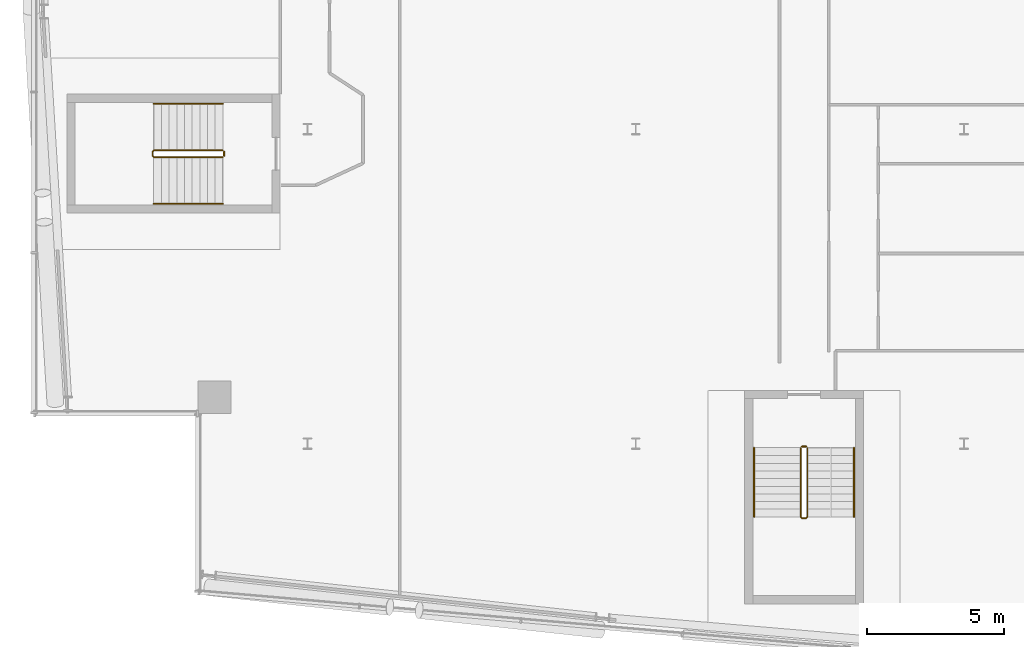
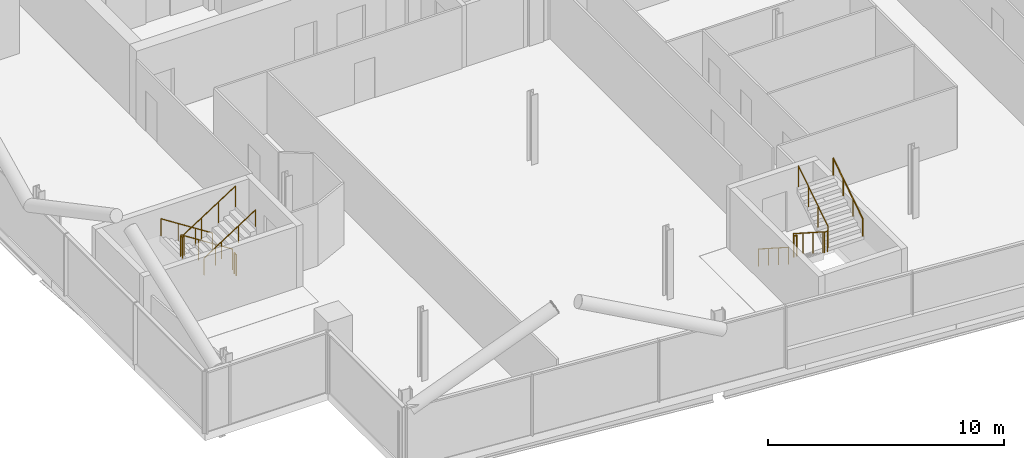
# One storey, part 23 of 25: 8 railings.
"""IFC4 building model written with IfcOpenShell, lengths in metres."""

from ifc_helpers import new_model, si_unit, direction, frame, origin, origin_2d, place, context, subcontext, project, spatial, circle, extrude, material, type_object, element, save


model = new_model("IFC4")

# Units and contexts
model_context = context("Model", 3, precision=1e-05, world=origin(), true_north=direction((0.0, 1.0)))
body_context = subcontext(model_context, "Body", "Model", "MODEL_VIEW")
ifc_project = project(units=[si_unit("LENGTHUNIT", "METRE"), si_unit("AREAUNIT", "SQUARE_METRE"), si_unit("VOLUMEUNIT", "CUBIC_METRE"), si_unit("PLANEANGLEUNIT", "RADIAN"), si_unit("MASSUNIT", "GRAM", prefix="KILO")], contexts=[model_context])

# Site, building, storey
site_placement = place(None, origin())
site = spatial("IfcSite", under=ifc_project, at=site_placement, CompositionType="ELEMENT")
building_placement = place(site_placement, origin())
building = spatial("IfcBuilding", under=site, at=building_placement, Name="Wharfspan Tower", CompositionType="ELEMENT")
storey_placement = place(building_placement, frame((0.0, 0.0, 239.5)))
storey = spatial("IfcBuildingStorey", under=building, at=storey_placement, Name="L60", CompositionType="ELEMENT", Elevation=239.5)

# Railings
ifc_material = material(Name="Steel S355J2", Category="steel")
railing_type_1 = type_object("IfcRailingType", Name="Stair guard 1100", PredefinedType="GUARDRAIL", material=ifc_material)
railing_1_placement = place(storey_placement, frame((20.899902, 22.225098, 0.179932)))
element("IfcRailing", 1, at=railing_1_placement, inside=storey, type_object=railing_type_1, Name="L60 ST3 stair guard 1", PredefinedType="GUARDRAIL", context=body_context, shape_type="SweptSolid", body=[
    extrude(circle(Radius=0.023926, at=origin_2d()), frame((0.0, 0.0, 1.076172), z_axis=(-0.841163, 0.0, 0.540782), x_axis=(0.0, -1.0, 0.0)), (0.0, 0.0, 1.0), 2.99585),
    extrude(circle(Radius=0.023926, at=origin_2d()), frame((-2.52002, 0.0, 2.696289), z_axis=(-0.705376, -0.708834, 0.0), x_axis=(0.708834, -0.705376, 0.0)), (0.0, 0.0, 1.0), 0.070557),
    extrude(circle(Radius=0.023926, at=origin_2d()), frame((-2.569824, -0.050049, 2.696289), z_axis=(0.0, -1.0, 0.0), x_axis=(1.0, 0.0, 0.0)), (0.0, 0.0, 1.0), 0.150146),
    extrude(circle(Radius=0.023926, at=origin_2d()), frame((-2.569824, -0.200195, 2.696289), z_axis=(0.257753, -0.257753, 0.931196), x_axis=(0.707107, 0.707107, 0.0)), (0.0, 0.0, 1.0), 0.193115),
    extrude(circle(Radius=0.023926, at=origin_2d()), frame((-2.52002, -0.25, 2.875977), z_axis=(0.841163, 0.0, 0.540782), x_axis=(0.0, 1.0, 0.0)), (0.0, 0.0, 1.0), 2.99585),
    extrude(circle(Radius=0.020996, at=origin_2d()), origin(), (0.0, 0.0, 1.0), 1.052002),
    extrude(circle(Radius=0.020996, at=origin_2d()), frame((-0.840088, 0.0, 0.540039)), (0.0, 0.0, 1.0), 1.052002),
    extrude(circle(Radius=0.020996, at=origin_2d()), frame((-1.679932, 0.0, 1.080078)), (0.0, 0.0, 1.0), 1.052002),
    extrude(circle(Radius=0.020996, at=origin_2d()), frame((-2.52002, 0.0, 1.620117)), (0.0, 0.0, 1.0), 1.052002),
    extrude(circle(Radius=0.020996, at=origin_2d()), frame((-2.569824, -0.050049, 1.620117)), (0.0, 0.0, 1.0), 1.052002),
    extrude(circle(Radius=0.020996, at=origin_2d()), frame((-2.569824, -0.200195, 1.620117)), (0.0, 0.0, 1.0), 1.052002),
    extrude(circle(Radius=0.020996, at=origin_2d()), frame((-2.52002, -0.25, 1.800049)), (0.0, 0.0, 1.0), 1.052002),
    extrude(circle(Radius=0.020996, at=origin_2d()), frame((-1.679932, -0.25, 2.340088)), (0.0, 0.0, 1.0), 1.052002),
    extrude(circle(Radius=0.020996, at=origin_2d()), frame((-0.840088, -0.25, 2.880127)), (0.0, 0.0, 1.0), 1.052002),
    extrude(circle(Radius=0.020996, at=origin_2d()), frame((0.0, -0.25, 3.420166)), (0.0, 0.0, 1.0), 1.052002),
])
railing_2_placement = place(storey_placement, frame((20.949951, 22.175049, 0.0)))
element("IfcRailing", 2, at=railing_2_placement, inside=storey, type_object=railing_type_1, Name="L60 ST3 stair guard 2", PredefinedType="GUARDRAIL", context=body_context, shape_type="SweptSolid", body=[
    extrude(circle(Radius=0.023926, at=origin_2d()), frame((0.0, 0.0, 1.076172), z_axis=(0.0, -1.0, 0.0), x_axis=(1.0, 0.0, 0.0)), (0.0, 0.0, 1.0), 0.150146),
    extrude(circle(Radius=0.020996, at=origin_2d()), origin(), (0.0, 0.0, 1.0), 1.052002),
    extrude(circle(Radius=0.020996, at=origin_2d()), frame((0.0, -0.150146, 0.0)), (0.0, 0.0, 1.0), 1.052002),
])
railing_3_placement = place(storey_placement, frame((42.0271, 11.343262, 0.179932)))
element("IfcRailing", 3, at=railing_3_placement, inside=storey, type_object=railing_type_1, Name="L60 ST4 stair guard 1", PredefinedType="GUARDRAIL", context=body_context, shape_type="SweptSolid", body=[
    extrude(circle(Radius=0.023926, at=origin_2d()), frame((0.0, 0.0, 1.076172), z_axis=(0.0, -0.841163, 0.540782), x_axis=(1.0, 0.0, 0.0)), (0.0, 0.0, 1.0), 2.99585),
    extrude(circle(Radius=0.023926, at=origin_2d()), frame((0.0, -2.52002, 2.696289), z_axis=(0.707107, -0.707107, 0.0), x_axis=(0.707107, 0.707107, 0.0)), (0.0, 0.0, 1.0), 0.070801),
    extrude(circle(Radius=0.023926, at=origin_2d()), frame((0.050049, -2.570068, 2.696289), z_axis=(1.0, 0.0, 0.0), x_axis=(0.0, 1.0, 0.0)), (0.0, 0.0, 1.0), 0.149902),
    extrude(circle(Radius=0.023926, at=origin_2d()), frame((0.199951, -2.570068, 2.696289), z_axis=(0.258848, 0.258848, 0.930589), x_axis=(-0.707107, 0.707107, 0.0)), (0.0, 0.0, 1.0), 0.193359),
    extrude(circle(Radius=0.023926, at=origin_2d()), frame((0.25, -2.52002, 2.875977), z_axis=(0.0, 0.841163, 0.540782), x_axis=(-1.0, 0.0, 0.0)), (0.0, 0.0, 1.0), 2.99585),
    extrude(circle(Radius=0.020996, at=origin_2d()), origin(), (0.0, 0.0, 1.0), 1.052002),
    extrude(circle(Radius=0.020996, at=origin_2d()), frame((0.0, -0.840088, 0.540039)), (0.0, 0.0, 1.0), 1.052002),
    extrude(circle(Radius=0.020996, at=origin_2d()), frame((0.0, -1.679932, 1.080078)), (0.0, 0.0, 1.0), 1.052002),
    extrude(circle(Radius=0.020996, at=origin_2d()), frame((0.0, -2.52002, 1.620117)), (0.0, 0.0, 1.0), 1.052002),
    extrude(circle(Radius=0.020996, at=origin_2d()), frame((0.050049, -2.570068, 1.620117)), (0.0, 0.0, 1.0), 1.052002),
    extrude(circle(Radius=0.020996, at=origin_2d()), frame((0.199951, -2.570068, 1.620117)), (0.0, 0.0, 1.0), 1.052002),
    extrude(circle(Radius=0.020996, at=origin_2d()), frame((0.25, -2.52002, 1.800049)), (0.0, 0.0, 1.0), 1.052002),
    extrude(circle(Radius=0.020996, at=origin_2d()), frame((0.25, -1.679932, 2.340088)), (0.0, 0.0, 1.0), 1.052002),
    extrude(circle(Radius=0.020996, at=origin_2d()), frame((0.25, -0.840088, 2.880127)), (0.0, 0.0, 1.0), 1.052002),
    extrude(circle(Radius=0.020996, at=origin_2d()), frame((0.25, 0.0, 3.420166)), (0.0, 0.0, 1.0), 1.052002),
])
railing_4_placement = place(storey_placement, frame((42.077148, 11.393311, 0.0)))
element("IfcRailing", 4, at=railing_4_placement, inside=storey, type_object=railing_type_1, Name="L60 ST4 stair guard 2", PredefinedType="GUARDRAIL", context=body_context, shape_type="SweptSolid", body=[
    extrude(circle(Radius=0.023926, at=origin_2d()), frame((0.0, 0.0, 1.076172), z_axis=(1.0, 0.0, 0.0), x_axis=(0.0, 1.0, 0.0)), (0.0, 0.0, 1.0), 0.149902),
    extrude(circle(Radius=0.020996, at=origin_2d()), origin(), (0.0, 0.0, 1.0), 1.052002),
    extrude(circle(Radius=0.020996, at=origin_2d()), frame((0.149902, 0.0, 0.0)), (0.0, 0.0, 1.0), 1.052002),
])
railing_type_2 = type_object("IfcRailingType", Name="Stair handrail 900", PredefinedType="HANDRAIL", material=ifc_material)
railing_5_placement = place(storey_placement, frame((20.899902, 23.925049, 0.179932)))
element("IfcRailing", 5, at=railing_5_placement, inside=storey, type_object=railing_type_2, Name="L60 ST3 stair handrail 1", PredefinedType="HANDRAIL", context=body_context, shape_type="SweptSolid", body=[
    extrude(circle(Radius=0.023926, at=origin_2d()), frame((0.0, 0.0, 0.875977), z_axis=(-0.841163, 0.0, 0.540782), x_axis=(0.0, -1.0, 0.0)), (0.0, 0.0, 1.0), 2.99585),
    extrude(circle(Radius=0.020996, at=origin_2d()), origin(), (0.0, 0.0, 1.0), 0.851807),
    extrude(circle(Radius=0.020996, at=origin_2d()), frame((-0.840088, 0.0, 0.540039)), (0.0, 0.0, 1.0), 0.851807),
    extrude(circle(Radius=0.020996, at=origin_2d()), frame((-1.679932, 0.0, 1.080078)), (0.0, 0.0, 1.0), 0.851807),
    extrude(circle(Radius=0.020996, at=origin_2d()), frame((-2.52002, 0.0, 1.620117)), (0.0, 0.0, 1.0), 0.851807),
])
railing_6_placement = place(storey_placement, frame((18.379883, 20.274902, 1.97998)))
element("IfcRailing", 6, at=railing_6_placement, inside=storey, type_object=railing_type_2, Name="L60 ST3 stair handrail 2", PredefinedType="HANDRAIL", context=body_context, shape_type="SweptSolid", body=[
    extrude(circle(Radius=0.023926, at=origin_2d()), frame((0.0, 0.0, 0.875977), z_axis=(0.841163, 0.0, 0.540782), x_axis=(0.0, 1.0, 0.0)), (0.0, 0.0, 1.0), 2.99585),
    extrude(circle(Radius=0.020996, at=origin_2d()), origin(), (0.0, 0.0, 1.0), 0.851807),
    extrude(circle(Radius=0.020996, at=origin_2d()), frame((0.840088, 0.0, 0.540039)), (0.0, 0.0, 1.0), 0.851807),
    extrude(circle(Radius=0.020996, at=origin_2d()), frame((1.679932, 0.0, 1.080078)), (0.0, 0.0, 1.0), 0.851807),
    extrude(circle(Radius=0.020996, at=origin_2d()), frame((2.52002, 0.0, 1.620117)), (0.0, 0.0, 1.0), 0.851807),
])
railing_7_placement = place(storey_placement, frame((40.327148, 11.343262, 0.179932)))
element("IfcRailing", 7, at=railing_7_placement, inside=storey, type_object=railing_type_2, Name="L60 ST4 stair handrail 1", PredefinedType="HANDRAIL", context=body_context, shape_type="SweptSolid", body=[
    extrude(circle(Radius=0.023926, at=origin_2d()), frame((0.0, 0.0, 0.875977), z_axis=(0.0, -0.841163, 0.540782), x_axis=(1.0, 0.0, 0.0)), (0.0, 0.0, 1.0), 2.99585),
    extrude(circle(Radius=0.020996, at=origin_2d()), origin(), (0.0, 0.0, 1.0), 0.851807),
    extrude(circle(Radius=0.020996, at=origin_2d()), frame((0.0, -0.840088, 0.540039)), (0.0, 0.0, 1.0), 0.851807),
    extrude(circle(Radius=0.020996, at=origin_2d()), frame((0.0, -1.679932, 1.080078)), (0.0, 0.0, 1.0), 0.851807),
    extrude(circle(Radius=0.020996, at=origin_2d()), frame((0.0, -2.52002, 1.620117)), (0.0, 0.0, 1.0), 0.851807),
])
railing_8_placement = place(storey_placement, frame((43.977051, 8.823242, 1.97998)))
element("IfcRailing", 8, at=railing_8_placement, inside=storey, type_object=railing_type_2, Name="L60 ST4 stair handrail 2", PredefinedType="HANDRAIL", context=body_context, shape_type="SweptSolid", body=[
    extrude(circle(Radius=0.023926, at=origin_2d()), frame((0.0, 0.0, 0.875977), z_axis=(0.0, 0.841163, 0.540782), x_axis=(-1.0, 0.0, 0.0)), (0.0, 0.0, 1.0), 2.99585),
    extrude(circle(Radius=0.020996, at=origin_2d()), origin(), (0.0, 0.0, 1.0), 0.851807),
    extrude(circle(Radius=0.020996, at=origin_2d()), frame((0.0, 0.840088, 0.540039)), (0.0, 0.0, 1.0), 0.851807),
    extrude(circle(Radius=0.020996, at=origin_2d()), frame((0.0, 1.679932, 1.080078)), (0.0, 0.0, 1.0), 0.851807),
    extrude(circle(Radius=0.020996, at=origin_2d()), frame((0.0, 2.52002, 1.620117)), (0.0, 0.0, 1.0), 0.851807),
])

save(model, "model.ifc")
